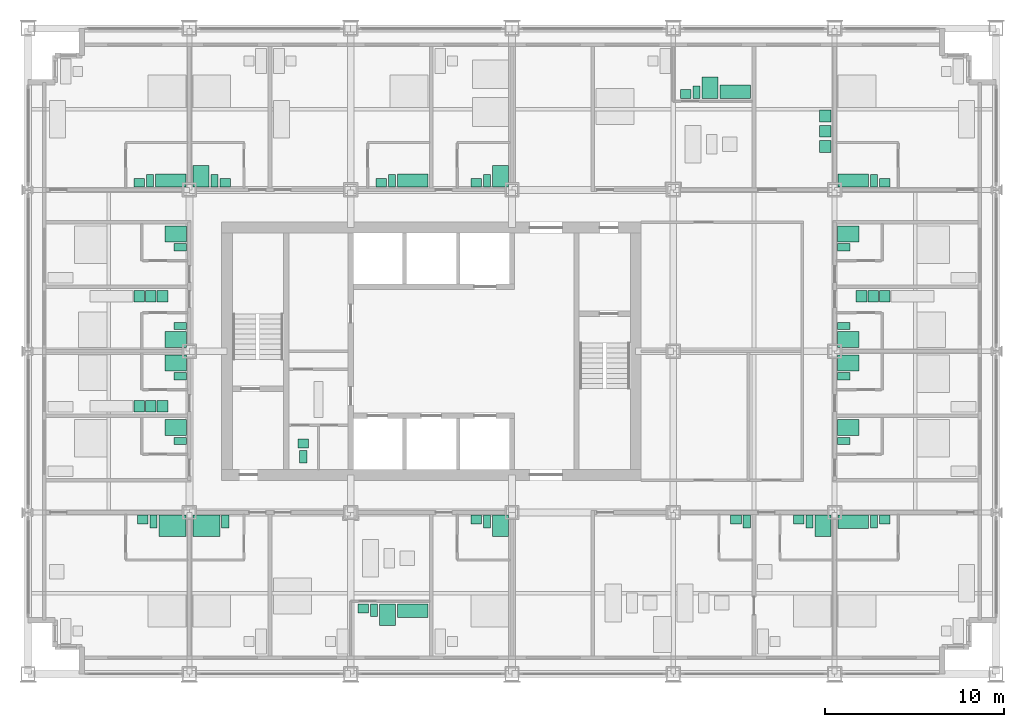
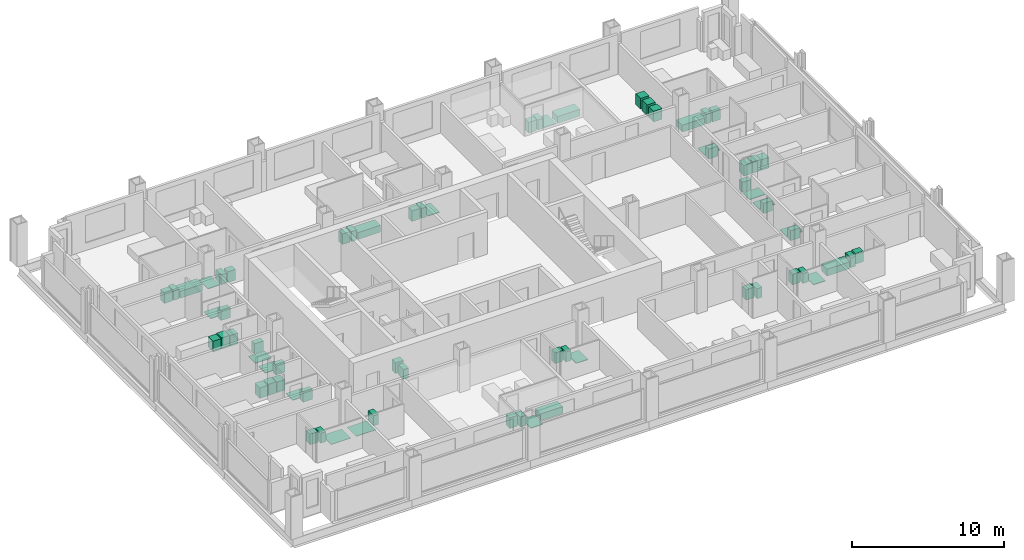
# One storey, part 17 of 18: 57 sanitary terminals, 12 electric appliances.
"""IFC4 building model written with IfcOpenShell, lengths in metres."""

import ifcopenshell
import ifcopenshell.guid

model = None  # the IFC model being written
_history = None  # IfcOwnerHistory: only IFC2X3 demands one
_inside = {}  # id of a spatial element -> (the spatial element, [elements in it])
_under = {}  # id of a project, library or spatial element -> (it, [spatial elements below it])
_declared = {}  # id of a project -> (the project, [libraries it declares])
_typed = {}  # id of a type object -> (the type object, [elements of that type])
_made_of = {}  # id of a material, layer set ... -> (it, [elements and type objects made of it])


def new_model(schema):
    """Start an empty IFC model of exactly this schema.

    Asked for "IFC4X3", IfcOpenShell would pick the latest addendum, in which some entities
    have other attributes; the version numbers below select the first issue.
    IFC2X3 requires an IfcOwnerHistory on every rooted entity: one is made here for all.
    """
    global model, _history
    if schema == "IFC4X3":
        model = ifcopenshell.file(schema_version=(4, 3, 0, 0))
    else:
        model = ifcopenshell.file(schema=schema)
    _inside.clear()
    _under.clear()
    _declared.clear()
    _typed.clear()
    _made_of.clear()
    _history = None
    if model.schema == "IFC2X3":
        org = make("IfcOrganization", Name="unknown")
        user = make(
            "IfcPersonAndOrganization",
            ThePerson=make("IfcPerson", FamilyName="unknown"),
            TheOrganization=org,
        )
        app = make(
            "IfcApplication",
            ApplicationDeveloper=org,
            Version="unknown",
            ApplicationFullName="unknown",
            ApplicationIdentifier="unknown",
        )
        _history = make(
            "IfcOwnerHistory",
            OwningUser=user,
            OwningApplication=app,
            ChangeAction="ADDED",
            CreationDate=0,
        )
    return model


def make(cls, **values):
    """One entity of the class cls with the attributes given. An attribute that is None is left unset."""
    return model.create_entity(
        cls, **{name: value for name, value in values.items() if value is not None}
    )


def rooted(cls, **values):
    """An entity with a GlobalId (a new one), such as an element, a storey or a relation."""
    return make(cls, GlobalId=ifcopenshell.guid.new(), OwnerHistory=_history, **values)


def si_unit(unit_type, name, prefix=None):
    """IfcSIUnit, for example si_unit("LENGTHUNIT", "METRE", prefix="MILLI")."""
    return make("IfcSIUnit", UnitType=unit_type, Prefix=prefix, Name=name)


def assignment(units):
    """IfcUnitAssignment: the units of a project."""
    return None if units is None else make("IfcUnitAssignment", Units=units)


def point(xyz):
    """IfcCartesianPoint."""
    return None if xyz is None else make("IfcCartesianPoint", Coordinates=xyz)


def direction(xyz):
    """IfcDirection."""
    return None if xyz is None else make("IfcDirection", DirectionRatios=xyz)


def frame(location, z_axis=None, x_axis=None):
    """IfcAxis2Placement3D, a coordinate frame: its origin and axes. An axis left out is left unset."""
    return make(
        "IfcAxis2Placement3D",
        Location=point(location),
        Axis=direction(z_axis),
        RefDirection=direction(x_axis),
    )


def frame_2d(location, x_axis=None):
    """IfcAxis2Placement2D, a coordinate frame in the plane: its origin and x axis."""
    return make(
        "IfcAxis2Placement2D", Location=point(location), RefDirection=direction(x_axis)
    )


def origin():
    """The frame at (0, 0, 0) with its axes left unset."""
    return frame((0.0, 0.0, 0.0))


def origin_2d():
    """The frame at (0, 0) in the plane with its x axis left unset."""
    return frame_2d((0.0, 0.0))


def place(relative_to, where):
    """IfcLocalPlacement: puts the frame where relative to a parent placement (None: the world)."""
    return make(
        "IfcLocalPlacement", PlacementRelTo=relative_to, RelativePlacement=where
    )


def context(
    kind, dimensions, precision=None, world=None, true_north=None, identifier=None
):
    """IfcGeometricRepresentationContext, for example the 3D "Model" context."""
    return make(
        "IfcGeometricRepresentationContext",
        ContextIdentifier=identifier,
        ContextType=kind,
        CoordinateSpaceDimension=dimensions,
        Precision=precision,
        WorldCoordinateSystem=world,
        TrueNorth=true_north,
    )


def subcontext(parent, identifier, kind, view, scale=None):
    """IfcGeometricRepresentationSubContext, for example "Body" below "Model"."""
    return make(
        "IfcGeometricRepresentationSubContext",
        ContextIdentifier=identifier,
        ContextType=kind,
        ParentContext=parent,
        TargetScale=scale,
        TargetView=view,
    )


def project(units=None, contexts=None):
    """IfcProject with its units and contexts."""
    return rooted(
        "IfcProject",
        Name="project",
        RepresentationContexts=contexts,
        UnitsInContext=assignment(units),
    )


def spatial(cls, under=None, at=None, **own):
    """A site, building, storey or space (cls), placed at a placement, below another one or the project."""
    s = rooted(cls, ObjectPlacement=at, **own)
    if under is not None:
        _under.setdefault(under.id(), (under, []))[1].append(s)
    return s


def profile(cls, at=None, kind="AREA", **sizes):
    """A parametric profile (cls). Its sizes go by their IFC names, for example OverallWidth=200.0."""
    return make(cls, ProfileType=kind, Position=at, **sizes)


def rectangle(**sizes):
    """IfcRectangleProfileDef."""
    return profile("IfcRectangleProfileDef", **sizes)


def extrude(swept, where, along, depth):
    """IfcExtrudedAreaSolid: the profile swept, set in the frame where, extruded along a direction by depth."""
    return make(
        "IfcExtrudedAreaSolid",
        SweptArea=swept,
        Position=where,
        ExtrudedDirection=direction(along),
        Depth=depth,
    )


def shape(context_of_items, identifier, shape_type, items):
    """IfcShapeRepresentation: the items that make up one representation, for example the "Body"."""
    return make(
        "IfcShapeRepresentation",
        ContextOfItems=context_of_items,
        RepresentationIdentifier=identifier,
        RepresentationType=shape_type,
        Items=items,
    )


def made_of(thing, what):
    """Note that an element or type object is made of a material, layer set ...; save() writes the relation."""
    if what is not None:
        _made_of.setdefault(what.id(), (what, []))[1].append(thing)
    return thing


def element(
    cls,
    number,
    at=None,
    inside=None,
    cuts=None,
    type_object=None,
    material=None,
    context=None,
    identifier="Body",
    shape_type=None,
    held_by="IfcProductDefinitionShape",
    body=None,
    shapes=None,
    **own,
):
    """One element of the class cls, such as IfcWall. Its Tag is "e" and its number.

    at: its placement. inside: the storey or other place that contains it. cuts: it is an
    opening in that element (IfcRelVoidsElement). A single representation is given by context,
    identifier, shape_type and body (its items); several are given by shapes. held_by: the class
    of the entity that holds the representations. save() writes the other relations.
    """
    e = rooted(cls, Tag="e%d" % number, ObjectPlacement=at, **own)
    if body is not None:
        shapes = [shape(context, identifier, shape_type, body)]
    if shapes is not None:
        e.Representation = make(held_by, Representations=shapes)
    if inside is not None:
        _inside.setdefault(inside.id(), (inside, []))[1].append(e)
    if cuts is not None:
        rooted(
            "IfcRelVoidsElement", RelatingBuildingElement=cuts, RelatedOpeningElement=e
        )
    if type_object is not None:
        _typed.setdefault(type_object.id(), (type_object, []))[1].append(e)
    return made_of(e, material)


def aggregate(whole, parts):
    """IfcRelAggregates: a whole, such as a stair, and the parts it consists of."""
    return rooted("IfcRelAggregates", RelatingObject=whole, RelatedObjects=parts)


def save(model, path):
    """Write the relations noted so far, then the file.

    IfcRelAggregates (storeys below a building ...), IfcRelContainedInSpatialStructure (elements
    in a storey), IfcRelDefinesByType, IfcRelAssociatesMaterial and IfcRelDeclares: one each for
    every whole, place, type object, material and project.
    """
    for whole, parts in _under.values():
        aggregate(whole, parts)
    for where, things in _inside.values():
        rooted(
            "IfcRelContainedInSpatialStructure",
            RelatedElements=things,
            RelatingStructure=where,
        )
    for kind, things in _typed.values():
        rooted("IfcRelDefinesByType", RelatedObjects=things, RelatingType=kind)
    for what, things in _made_of.values():
        rooted("IfcRelAssociatesMaterial", RelatedObjects=things, RelatingMaterial=what)
    for by, libraries in _declared.values():
        rooted("IfcRelDeclares", RelatingContext=by, RelatedDefinitions=libraries)
    model.write(path)


model = new_model("IFC4")

# Units and contexts
model_context = context("Model", 3, precision=1e-05, world=origin(), true_north=direction((0.0, 1.0)))
body_context = subcontext(model_context, "Body", "Model", "MODEL_VIEW")
ifc_project = project(units=[si_unit("LENGTHUNIT", "METRE"), si_unit("AREAUNIT", "SQUARE_METRE"), si_unit("VOLUMEUNIT", "CUBIC_METRE"), si_unit("PLANEANGLEUNIT", "RADIAN"), si_unit("MASSUNIT", "GRAM", prefix="KILO")], contexts=[model_context])

# Site, building, storey
site_placement = place(None, origin())
site = spatial("IfcSite", under=ifc_project, at=site_placement, CompositionType="ELEMENT")
building_placement = place(site_placement, origin())
building = spatial("IfcBuilding", under=site, at=building_placement, Name="Loomwork Tower", CompositionType="ELEMENT")
storey_placement = place(building_placement, frame((0.0, 0.0, 58.60009765625)))
storey = spatial("IfcBuildingStorey", under=building, at=storey_placement, Name="L14", CompositionType="ELEMENT", Elevation=58.60009765625)

# Sanitary terminals
sanitary_terminal_1_placement = place(storey_placement, frame((8.050048828125, 8.25, 0.0), z_axis=(0.0, 0.0, 1.0), x_axis=(1.0, 0.0, 0.0)))
element("IfcSanitaryTerminal", 1, at=sanitary_terminal_1_placement, inside=storey, Name="Roll-in shower floor L14", PredefinedType="SHOWER", context=body_context, shape_type="SweptSolid", body=[
    extrude(rectangle(XDim=1.5, YDim=1.199951171875, at=origin_2d()), origin(), (0.0, 0.0, 1.0), 0.030029296875),
])
sanitary_terminal_2_placement = place(storey_placement, frame((7.0, 8.5, 0.0), z_axis=(0.0, 0.0, 1.0), x_axis=(1.0, 0.0, 0.0)))
element("IfcSanitaryTerminal", 2, at=sanitary_terminal_2_placement, inside=storey, Name="WC L14", PredefinedType="TOILETPAN", context=body_context, shape_type="SweptSolid", body=[
    extrude(rectangle(XDim=0.39990234375, YDim=0.699951171875, at=origin_2d()), origin(), (0.0, 0.0, 1.0), 0.800048828125),
])
sanitary_terminal_3_placement = place(storey_placement, frame((6.39990234375, 8.60009765625, -0.000244140625), z_axis=(0.0, 0.0, 1.0), x_axis=(1.0, 0.0, 0.0)))
element("IfcSanitaryTerminal", 3, at=sanitary_terminal_3_placement, inside=storey, Name="Basin vanity L14", PredefinedType="WASHHANDBASIN", context=body_context, shape_type="SweptSolid", body=[
    extrude(rectangle(XDim=0.60009765625, YDim=0.5, at=origin_2d()), origin(), (0.0, 0.0, 1.0), 0.85009765625),
])
sanitary_terminal_4_placement = place(storey_placement, frame((9.949951171875, 8.25, 0.0), z_axis=(0.0, 0.0, 1.0), x_axis=(1.0, 0.0, 0.0)))
element("IfcSanitaryTerminal", 4, at=sanitary_terminal_4_placement, inside=storey, Name="Roll-in shower floor L14", PredefinedType="SHOWER", context=body_context, shape_type="SweptSolid", body=[
    extrude(rectangle(XDim=1.5, YDim=1.199951171875, at=origin_2d()), origin(), (0.0, 0.0, 1.0), 0.030029296875),
])
sanitary_terminal_5_placement = place(storey_placement, frame((11.0, 8.5, 0.0), z_axis=(0.0, 0.0, 1.0), x_axis=(1.0, 0.0, 0.0)))
element("IfcSanitaryTerminal", 5, at=sanitary_terminal_5_placement, inside=storey, Name="WC L14", PredefinedType="TOILETPAN", context=body_context, shape_type="SweptSolid", body=[
    extrude(rectangle(XDim=0.39990234375, YDim=0.699951171875, at=origin_2d()), origin(), (0.0, 0.0, 1.0), 0.800048828125),
])
sanitary_terminal_6_placement = place(storey_placement, frame((21.449951171875, 3.52490234375, 0.0), z_axis=(0.0, 0.0, 1.0), x_axis=(1.0, 0.0, 0.0)))
element("IfcSanitaryTerminal", 6, at=sanitary_terminal_6_placement, inside=storey, Name="Bath L14", PredefinedType="BATH", context=body_context, shape_type="SweptSolid", body=[
    extrude(rectangle(XDim=1.699951171875, YDim=0.75, at=origin_2d()), origin(), (0.0, 0.0, 1.0), 0.550048828125),
])
sanitary_terminal_7_placement = place(storey_placement, frame((20.050048828125, 3.300048828125, 0.0), z_axis=(0.0, 0.0, 1.0), x_axis=(1.0, 0.0, 0.0)))
element("IfcSanitaryTerminal", 7, at=sanitary_terminal_7_placement, inside=storey, Name="Shower tray L14", PredefinedType="SHOWER", context=body_context, shape_type="SweptSolid", body=[
    extrude(rectangle(XDim=0.89990234375, YDim=1.199951171875, at=origin_2d()), origin(), (0.0, 0.0, 1.0), 0.050048828125),
])
sanitary_terminal_8_placement = place(storey_placement, frame((19.300048828125, 3.550048828125, 0.0), z_axis=(0.0, 0.0, 1.0), x_axis=(1.0, 0.0, 0.0)))
element("IfcSanitaryTerminal", 8, at=sanitary_terminal_8_placement, inside=storey, Name="WC L14", PredefinedType="TOILETPAN", context=body_context, shape_type="SweptSolid", body=[
    extrude(rectangle(XDim=0.39990234375, YDim=0.699951171875, at=origin_2d()), origin(), (0.0, 0.0, 1.0), 0.800048828125),
])
sanitary_terminal_9_placement = place(storey_placement, frame((18.699951171875, 3.64990234375, -0.000244140625), z_axis=(0.0, 0.0, 1.0), x_axis=(1.0, 0.0, 0.0)))
element("IfcSanitaryTerminal", 9, at=sanitary_terminal_9_placement, inside=storey, Name="Basin vanity L14", PredefinedType="WASHHANDBASIN", context=body_context, shape_type="SweptSolid", body=[
    extrude(rectangle(XDim=0.60009765625, YDim=0.5, at=origin_2d()), origin(), (0.0, 0.0, 1.0), 0.85009765625),
])
sanitary_terminal_10_placement = place(storey_placement, frame((26.35009765625, 8.25, 0.0), z_axis=(0.0, 0.0, 1.0), x_axis=(1.0, 0.0, 0.0)))
element("IfcSanitaryTerminal", 10, at=sanitary_terminal_10_placement, inside=storey, Name="Shower tray L14", PredefinedType="SHOWER", context=body_context, shape_type="SweptSolid", body=[
    extrude(rectangle(XDim=0.89990234375, YDim=1.199951171875, at=origin_2d()), origin(), (0.0, 0.0, 1.0), 0.050048828125),
])
sanitary_terminal_11_placement = place(storey_placement, frame((25.60009765625, 8.5, 0.0), z_axis=(0.0, 0.0, 1.0), x_axis=(1.0, 0.0, 0.0)))
element("IfcSanitaryTerminal", 11, at=sanitary_terminal_11_placement, inside=storey, Name="WC L14", PredefinedType="TOILETPAN", context=body_context, shape_type="SweptSolid", body=[
    extrude(rectangle(XDim=0.39990234375, YDim=0.699951171875, at=origin_2d()), origin(), (0.0, 0.0, 1.0), 0.800048828125),
])
sanitary_terminal_12_placement = place(storey_placement, frame((25.0, 8.60009765625, -0.000244140625), z_axis=(0.0, 0.0, 1.0), x_axis=(1.0, 0.0, 0.0)))
element("IfcSanitaryTerminal", 12, at=sanitary_terminal_12_placement, inside=storey, Name="Basin vanity L14", PredefinedType="WASHHANDBASIN", context=body_context, shape_type="SweptSolid", body=[
    extrude(rectangle(XDim=0.60009765625, YDim=0.5, at=origin_2d()), origin(), (0.0, 0.0, 1.0), 0.85009765625),
])
sanitary_terminal_13_placement = place(storey_placement, frame((40.10009765625, 8.5, 0.0), z_axis=(0.0, 0.0, 1.0), x_axis=(1.0, 0.0, 0.0)))
element("IfcSanitaryTerminal", 13, at=sanitary_terminal_13_placement, inside=storey, Name="WC L14", PredefinedType="TOILETPAN", context=body_context, shape_type="SweptSolid", body=[
    extrude(rectangle(XDim=0.39990234375, YDim=0.699951171875, at=origin_2d()), origin(), (0.0, 0.0, 1.0), 0.800048828125),
])
sanitary_terminal_14_placement = place(storey_placement, frame((39.5, 8.60009765625, -0.000244140625), z_axis=(0.0, 0.0, 1.0), x_axis=(1.0, 0.0, 0.0)))
element("IfcSanitaryTerminal", 14, at=sanitary_terminal_14_placement, inside=storey, Name="Basin vanity L14", PredefinedType="WASHHANDBASIN", context=body_context, shape_type="SweptSolid", body=[
    extrude(rectangle(XDim=0.60009765625, YDim=0.5, at=origin_2d()), origin(), (0.0, 0.0, 1.0), 0.85009765625),
])
sanitary_terminal_15_placement = place(storey_placement, frame((44.35009765625, 8.25, 0.0), z_axis=(0.0, 0.0, 1.0), x_axis=(1.0, 0.0, 0.0)))
element("IfcSanitaryTerminal", 15, at=sanitary_terminal_15_placement, inside=storey, Name="Shower tray L14", PredefinedType="SHOWER", context=body_context, shape_type="SweptSolid", body=[
    extrude(rectangle(XDim=0.89990234375, YDim=1.199951171875, at=origin_2d()), origin(), (0.0, 0.0, 1.0), 0.050048828125),
])
sanitary_terminal_16_placement = place(storey_placement, frame((43.60009765625, 8.5, 0.0), z_axis=(0.0, 0.0, 1.0), x_axis=(1.0, 0.0, 0.0)))
element("IfcSanitaryTerminal", 16, at=sanitary_terminal_16_placement, inside=storey, Name="WC L14", PredefinedType="TOILETPAN", context=body_context, shape_type="SweptSolid", body=[
    extrude(rectangle(XDim=0.39990234375, YDim=0.699951171875, at=origin_2d()), origin(), (0.0, 0.0, 1.0), 0.800048828125),
])
sanitary_terminal_17_placement = place(storey_placement, frame((43.0, 8.60009765625, -0.000244140625), z_axis=(0.0, 0.0, 1.0), x_axis=(1.0, 0.0, 0.0)))
element("IfcSanitaryTerminal", 17, at=sanitary_terminal_17_placement, inside=storey, Name="Basin vanity L14", PredefinedType="WASHHANDBASIN", context=body_context, shape_type="SweptSolid", body=[
    extrude(rectangle(XDim=0.60009765625, YDim=0.5, at=origin_2d()), origin(), (0.0, 0.0, 1.0), 0.85009765625),
])
sanitary_terminal_18_placement = place(storey_placement, frame((46.050048828125, 8.47509765625, 0.0), z_axis=(0.0, 0.0, 1.0), x_axis=(1.0, 0.0, 0.0)))
element("IfcSanitaryTerminal", 18, at=sanitary_terminal_18_placement, inside=storey, Name="Bath L14", PredefinedType="BATH", context=body_context, shape_type="SweptSolid", body=[
    extrude(rectangle(XDim=1.699951171875, YDim=0.75, at=origin_2d()), origin(), (0.0, 0.0, 1.0), 0.550048828125),
])
sanitary_terminal_19_placement = place(storey_placement, frame((47.199951171875, 8.5, 0.0), z_axis=(0.0, 0.0, 1.0), x_axis=(1.0, 0.0, 0.0)))
element("IfcSanitaryTerminal", 19, at=sanitary_terminal_19_placement, inside=storey, Name="WC L14", PredefinedType="TOILETPAN", context=body_context, shape_type="SweptSolid", body=[
    extrude(rectangle(XDim=0.39990234375, YDim=0.699951171875, at=origin_2d()), origin(), (0.0, 0.0, 1.0), 0.800048828125),
])
sanitary_terminal_20_placement = place(storey_placement, frame((47.800048828125, 8.60009765625, -0.000244140625), z_axis=(0.0, 0.0, 1.0), x_axis=(1.0, 0.0, 0.0)))
element("IfcSanitaryTerminal", 20, at=sanitary_terminal_20_placement, inside=storey, Name="Basin vanity L14", PredefinedType="WASHHANDBASIN", context=body_context, shape_type="SweptSolid", body=[
    extrude(rectangle(XDim=0.60009765625, YDim=0.5, at=origin_2d()), origin(), (0.0, 0.0, 1.0), 0.85009765625),
])
sanitary_terminal_21_placement = place(storey_placement, frame((7.949951171875, 27.52490234375, 0.0), z_axis=(0.0, 0.0, 1.0), x_axis=(1.0, 0.0, 0.0)))
element("IfcSanitaryTerminal", 21, at=sanitary_terminal_21_placement, inside=storey, Name="Bath L14", PredefinedType="BATH", context=body_context, shape_type="SweptSolid", body=[
    extrude(rectangle(XDim=1.699951171875, YDim=0.75, at=origin_2d()), origin(), (0.0, 0.0, 1.0), 0.550048828125),
])
sanitary_terminal_22_placement = place(storey_placement, frame((6.800048828125, 27.5, 0.0), z_axis=(0.0, 0.0, 1.0), x_axis=(1.0, 0.0, 0.0)))
element("IfcSanitaryTerminal", 22, at=sanitary_terminal_22_placement, inside=storey, Name="WC L14", PredefinedType="TOILETPAN", context=body_context, shape_type="SweptSolid", body=[
    extrude(rectangle(XDim=0.39990234375, YDim=0.699951171875, at=origin_2d()), origin(), (0.0, 0.0, 1.0), 0.800048828125),
])
sanitary_terminal_23_placement = place(storey_placement, frame((6.199951171875, 27.39990234375, -0.000244140625), z_axis=(0.0, 0.0, 1.0), x_axis=(1.0, 0.0, 0.0)))
element("IfcSanitaryTerminal", 23, at=sanitary_terminal_23_placement, inside=storey, Name="Basin vanity L14", PredefinedType="WASHHANDBASIN", context=body_context, shape_type="SweptSolid", body=[
    extrude(rectangle(XDim=0.60009765625, YDim=0.5, at=origin_2d()), origin(), (0.0, 0.0, 1.0), 0.85009765625),
])
sanitary_terminal_24_placement = place(storey_placement, frame((9.64990234375, 27.75, 0.0), z_axis=(0.0, 0.0, 1.0), x_axis=(1.0, 0.0, 0.0)))
element("IfcSanitaryTerminal", 24, at=sanitary_terminal_24_placement, inside=storey, Name="Shower tray L14", PredefinedType="SHOWER", context=body_context, shape_type="SweptSolid", body=[
    extrude(rectangle(XDim=0.89990234375, YDim=1.199951171875, at=origin_2d()), origin(), (0.0, 0.0, 1.0), 0.050048828125),
])
sanitary_terminal_25_placement = place(storey_placement, frame((10.39990234375, 27.5, 0.0), z_axis=(0.0, 0.0, 1.0), x_axis=(1.0, 0.0, 0.0)))
element("IfcSanitaryTerminal", 25, at=sanitary_terminal_25_placement, inside=storey, Name="WC L14", PredefinedType="TOILETPAN", context=body_context, shape_type="SweptSolid", body=[
    extrude(rectangle(XDim=0.39990234375, YDim=0.699951171875, at=origin_2d()), origin(), (0.0, 0.0, 1.0), 0.800048828125),
])
sanitary_terminal_26_placement = place(storey_placement, frame((11.0, 27.39990234375, -0.000244140625), z_axis=(0.0, 0.0, 1.0), x_axis=(1.0, 0.0, 0.0)))
element("IfcSanitaryTerminal", 26, at=sanitary_terminal_26_placement, inside=storey, Name="Basin vanity L14", PredefinedType="WASHHANDBASIN", context=body_context, shape_type="SweptSolid", body=[
    extrude(rectangle(XDim=0.60009765625, YDim=0.5, at=origin_2d()), origin(), (0.0, 0.0, 1.0), 0.85009765625),
])
sanitary_terminal_27_placement = place(storey_placement, frame((21.449951171875, 27.52490234375, 0.0), z_axis=(0.0, 0.0, 1.0), x_axis=(1.0, 0.0, 0.0)))
element("IfcSanitaryTerminal", 27, at=sanitary_terminal_27_placement, inside=storey, Name="Bath L14", PredefinedType="BATH", context=body_context, shape_type="SweptSolid", body=[
    extrude(rectangle(XDim=1.699951171875, YDim=0.75, at=origin_2d()), origin(), (0.0, 0.0, 1.0), 0.550048828125),
])
sanitary_terminal_28_placement = place(storey_placement, frame((20.300048828125, 27.5, 0.0), z_axis=(0.0, 0.0, 1.0), x_axis=(1.0, 0.0, 0.0)))
element("IfcSanitaryTerminal", 28, at=sanitary_terminal_28_placement, inside=storey, Name="WC L14", PredefinedType="TOILETPAN", context=body_context, shape_type="SweptSolid", body=[
    extrude(rectangle(XDim=0.39990234375, YDim=0.699951171875, at=origin_2d()), origin(), (0.0, 0.0, 1.0), 0.800048828125),
])
sanitary_terminal_29_placement = place(storey_placement, frame((19.699951171875, 27.39990234375, -0.000244140625), z_axis=(0.0, 0.0, 1.0), x_axis=(1.0, 0.0, 0.0)))
element("IfcSanitaryTerminal", 29, at=sanitary_terminal_29_placement, inside=storey, Name="Basin vanity L14", PredefinedType="WASHHANDBASIN", context=body_context, shape_type="SweptSolid", body=[
    extrude(rectangle(XDim=0.60009765625, YDim=0.5, at=origin_2d()), origin(), (0.0, 0.0, 1.0), 0.85009765625),
])
sanitary_terminal_30_placement = place(storey_placement, frame((26.35009765625, 27.75, 0.0), z_axis=(0.0, 0.0, 1.0), x_axis=(1.0, 0.0, 0.0)))
element("IfcSanitaryTerminal", 30, at=sanitary_terminal_30_placement, inside=storey, Name="Shower tray L14", PredefinedType="SHOWER", context=body_context, shape_type="SweptSolid", body=[
    extrude(rectangle(XDim=0.89990234375, YDim=1.199951171875, at=origin_2d()), origin(), (0.0, 0.0, 1.0), 0.050048828125),
])
sanitary_terminal_31_placement = place(storey_placement, frame((25.60009765625, 27.5, 0.0), z_axis=(0.0, 0.0, 1.0), x_axis=(1.0, 0.0, 0.0)))
element("IfcSanitaryTerminal", 31, at=sanitary_terminal_31_placement, inside=storey, Name="WC L14", PredefinedType="TOILETPAN", context=body_context, shape_type="SweptSolid", body=[
    extrude(rectangle(XDim=0.39990234375, YDim=0.699951171875, at=origin_2d()), origin(), (0.0, 0.0, 1.0), 0.800048828125),
])
sanitary_terminal_32_placement = place(storey_placement, frame((25.0, 27.39990234375, -0.000244140625), z_axis=(0.0, 0.0, 1.0), x_axis=(1.0, 0.0, 0.0)))
element("IfcSanitaryTerminal", 32, at=sanitary_terminal_32_placement, inside=storey, Name="Basin vanity L14", PredefinedType="WASHHANDBASIN", context=body_context, shape_type="SweptSolid", body=[
    extrude(rectangle(XDim=0.60009765625, YDim=0.5, at=origin_2d()), origin(), (0.0, 0.0, 1.0), 0.85009765625),
])
sanitary_terminal_33_placement = place(storey_placement, frame((39.449951171875, 32.47509765625, 0.0), z_axis=(0.0, 0.0, 1.0), x_axis=(1.0, 0.0, 0.0)))
element("IfcSanitaryTerminal", 33, at=sanitary_terminal_33_placement, inside=storey, Name="Bath L14", PredefinedType="BATH", context=body_context, shape_type="SweptSolid", body=[
    extrude(rectangle(XDim=1.699951171875, YDim=0.75, at=origin_2d()), origin(), (0.0, 0.0, 1.0), 0.550048828125),
])
sanitary_terminal_34_placement = place(storey_placement, frame((38.050048828125, 32.699951171875, 0.0), z_axis=(0.0, 0.0, 1.0), x_axis=(1.0, 0.0, 0.0)))
element("IfcSanitaryTerminal", 34, at=sanitary_terminal_34_placement, inside=storey, Name="Shower tray L14", PredefinedType="SHOWER", context=body_context, shape_type="SweptSolid", body=[
    extrude(rectangle(XDim=0.89990234375, YDim=1.199951171875, at=origin_2d()), origin(), (0.0, 0.0, 1.0), 0.050048828125),
])
sanitary_terminal_35_placement = place(storey_placement, frame((37.300048828125, 32.449951171875, 0.0), z_axis=(0.0, 0.0, 1.0), x_axis=(1.0, 0.0, 0.0)))
element("IfcSanitaryTerminal", 35, at=sanitary_terminal_35_placement, inside=storey, Name="WC L14", PredefinedType="TOILETPAN", context=body_context, shape_type="SweptSolid", body=[
    extrude(rectangle(XDim=0.39990234375, YDim=0.699951171875, at=origin_2d()), origin(), (0.0, 0.0, 1.0), 0.800048828125),
])
sanitary_terminal_36_placement = place(storey_placement, frame((36.699951171875, 32.35009765625, -0.000244140625), z_axis=(0.0, 0.0, 1.0), x_axis=(1.0, 0.0, 0.0)))
element("IfcSanitaryTerminal", 36, at=sanitary_terminal_36_placement, inside=storey, Name="Basin vanity L14", PredefinedType="WASHHANDBASIN", context=body_context, shape_type="SweptSolid", body=[
    extrude(rectangle(XDim=0.60009765625, YDim=0.5, at=origin_2d()), origin(), (0.0, 0.0, 1.0), 0.85009765625),
])

# Electric appliances
electric_appliance_1_placement = place(storey_placement, frame((44.47509765625, 29.425048828125, -0.000244140625), z_axis=(0.0, 0.0, 1.0), x_axis=(1.0, 0.0, 0.0)))
element("IfcElectricAppliance", 37, at=electric_appliance_1_placement, inside=storey, Name="Washing machine L14", PredefinedType="WASHINGMACHINE", context=body_context, shape_type="SweptSolid", body=[
    extrude(rectangle(XDim=0.64990234375, YDim=0.64990234375, at=origin_2d()), origin(), (0.0, 0.0, 1.0), 0.85009765625),
])
electric_appliance_2_placement = place(storey_placement, frame((44.47509765625, 30.27490234375, -0.000244140625), z_axis=(0.0, 0.0, 1.0), x_axis=(1.0, 0.0, 0.0)))
element("IfcElectricAppliance", 38, at=electric_appliance_2_placement, inside=storey, Name="Tumble dryer L14", PredefinedType="TUMBLEDRYER", context=body_context, shape_type="SweptSolid", body=[
    extrude(rectangle(XDim=0.64990234375, YDim=0.64990234375, at=origin_2d()), origin(), (0.0, 0.0, 1.0), 0.85009765625),
])
electric_appliance_3_placement = place(storey_placement, frame((44.47509765625, 31.125, -0.000244140625), z_axis=(0.0, 0.0, 1.0), x_axis=(1.0, 0.0, 0.0)))
element("IfcElectricAppliance", 39, at=electric_appliance_3_placement, inside=storey, Name="Washing machine L14", PredefinedType="WASHINGMACHINE", context=body_context, shape_type="SweptSolid", body=[
    extrude(rectangle(XDim=0.64990234375, YDim=0.64990234375, at=origin_2d()), origin(), (0.0, 0.0, 1.0), 0.85009765625),
])

# Sanitary terminals
sanitary_terminal_37_placement = place(storey_placement, frame((46.050048828125, 27.52490234375, 0.0), z_axis=(0.0, 0.0, 1.0), x_axis=(1.0, 0.0, 0.0)))
element("IfcSanitaryTerminal", 40, at=sanitary_terminal_37_placement, inside=storey, Name="Bath L14", PredefinedType="BATH", context=body_context, shape_type="SweptSolid", body=[
    extrude(rectangle(XDim=1.699951171875, YDim=0.75, at=origin_2d()), origin(), (0.0, 0.0, 1.0), 0.550048828125),
])
sanitary_terminal_38_placement = place(storey_placement, frame((47.199951171875, 27.5, 0.0), z_axis=(0.0, 0.0, 1.0), x_axis=(1.0, 0.0, 0.0)))
element("IfcSanitaryTerminal", 41, at=sanitary_terminal_38_placement, inside=storey, Name="WC L14", PredefinedType="TOILETPAN", context=body_context, shape_type="SweptSolid", body=[
    extrude(rectangle(XDim=0.39990234375, YDim=0.699951171875, at=origin_2d()), origin(), (0.0, 0.0, 1.0), 0.800048828125),
])
sanitary_terminal_39_placement = place(storey_placement, frame((47.800048828125, 27.39990234375, -0.000244140625), z_axis=(0.0, 0.0, 1.0), x_axis=(1.0, 0.0, 0.0)))
element("IfcSanitaryTerminal", 42, at=sanitary_terminal_39_placement, inside=storey, Name="Basin vanity L14", PredefinedType="WASHHANDBASIN", context=body_context, shape_type="SweptSolid", body=[
    extrude(rectangle(XDim=0.60009765625, YDim=0.5, at=origin_2d()), origin(), (0.0, 0.0, 1.0), 0.85009765625),
])
sanitary_terminal_40_placement = place(storey_placement, frame((8.25, 13.75, 0.0), z_axis=(0.0, 0.0, 1.0), x_axis=(1.0, 0.0, 0.0)))
element("IfcSanitaryTerminal", 43, at=sanitary_terminal_40_placement, inside=storey, Name="Shower tray L14", PredefinedType="SHOWER", context=body_context, shape_type="SweptSolid", body=[
    extrude(rectangle(XDim=1.199951171875, YDim=0.89990234375, at=origin_2d()), origin(), (0.0, 0.0, 1.0), 0.050048828125),
])
sanitary_terminal_41_placement = place(storey_placement, frame((8.5, 13.0, 0.0), z_axis=(0.0, 0.0, 1.0), x_axis=(1.0, 0.0, 0.0)))
element("IfcSanitaryTerminal", 44, at=sanitary_terminal_41_placement, inside=storey, Name="WC L14", PredefinedType="TOILETPAN", context=body_context, shape_type="SweptSolid", body=[
    extrude(rectangle(XDim=0.699951171875, YDim=0.39990234375, at=origin_2d()), origin(), (0.0, 0.0, 1.0), 0.800048828125),
])
sanitary_terminal_42_placement = place(storey_placement, frame((8.25, 17.35009765625, 0.0), z_axis=(0.0, 0.0, 1.0), x_axis=(1.0, 0.0, 0.0)))
element("IfcSanitaryTerminal", 45, at=sanitary_terminal_42_placement, inside=storey, Name="Shower tray L14", PredefinedType="SHOWER", context=body_context, shape_type="SweptSolid", body=[
    extrude(rectangle(XDim=1.199951171875, YDim=0.89990234375, at=origin_2d()), origin(), (0.0, 0.0, 1.0), 0.050048828125),
])
sanitary_terminal_43_placement = place(storey_placement, frame((8.5, 16.60009765625, 0.0), z_axis=(0.0, 0.0, 1.0), x_axis=(1.0, 0.0, 0.0)))
element("IfcSanitaryTerminal", 46, at=sanitary_terminal_43_placement, inside=storey, Name="WC L14", PredefinedType="TOILETPAN", context=body_context, shape_type="SweptSolid", body=[
    extrude(rectangle(XDim=0.699951171875, YDim=0.39990234375, at=origin_2d()), origin(), (0.0, 0.0, 1.0), 0.800048828125),
])

# Electric appliances
electric_appliance_4_placement = place(storey_placement, frame((7.5, 14.925048828125, -0.000244140625), z_axis=(0.0, 0.0, 1.0), x_axis=(1.0, 0.0, 0.0)))
element("IfcElectricAppliance", 47, at=electric_appliance_4_placement, inside=storey, Name="Refrigerator L14", PredefinedType="REFRIGERATOR", context=body_context, shape_type="SweptSolid", body=[
    extrude(rectangle(XDim=0.60009765625, YDim=0.64990234375, at=origin_2d()), origin(), (0.0, 0.0, 1.0), 0.85009765625),
])
electric_appliance_5_placement = place(storey_placement, frame((6.85009765625, 14.925048828125, 0.0), z_axis=(0.0, 0.0, 1.0), x_axis=(1.0, 0.0, 0.0)))
element("IfcElectricAppliance", 48, at=electric_appliance_5_placement, inside=storey, Name="Two-ring cooktop and oven L14", PredefinedType="ELECTRICCOOKER", context=body_context, shape_type="SweptSolid", body=[
    extrude(rectangle(XDim=0.60009765625, YDim=0.64990234375, at=origin_2d()), origin(), (0.0, 0.0, 1.0), 0.89990234375),
])
electric_appliance_6_placement = place(storey_placement, frame((6.199951171875, 14.925048828125, -0.000244140625), z_axis=(0.0, 0.0, 1.0), x_axis=(1.0, 0.0, 0.0)))
element("IfcElectricAppliance", 49, at=electric_appliance_6_placement, inside=storey, Name="Dishwasher L14", PredefinedType="DISHWASHER", context=body_context, shape_type="SweptSolid", body=[
    extrude(rectangle(XDim=0.60009765625, YDim=0.64990234375, at=origin_2d()), origin(), (0.0, 0.0, 1.0), 0.85009765625),
])

# Sanitary terminals
sanitary_terminal_44_placement = place(storey_placement, frame((8.25, 18.64990234375, 0.0), z_axis=(0.0, 0.0, 1.0), x_axis=(1.0, 0.0, 0.0)))
element("IfcSanitaryTerminal", 50, at=sanitary_terminal_44_placement, inside=storey, Name="Shower tray L14", PredefinedType="SHOWER", context=body_context, shape_type="SweptSolid", body=[
    extrude(rectangle(XDim=1.199951171875, YDim=0.89990234375, at=origin_2d()), origin(), (0.0, 0.0, 1.0), 0.050048828125),
])
sanitary_terminal_45_placement = place(storey_placement, frame((8.5, 19.39990234375, 0.0), z_axis=(0.0, 0.0, 1.0), x_axis=(1.0, 0.0, 0.0)))
element("IfcSanitaryTerminal", 51, at=sanitary_terminal_45_placement, inside=storey, Name="WC L14", PredefinedType="TOILETPAN", context=body_context, shape_type="SweptSolid", body=[
    extrude(rectangle(XDim=0.699951171875, YDim=0.39990234375, at=origin_2d()), origin(), (0.0, 0.0, 1.0), 0.800048828125),
])

# Electric appliances
electric_appliance_7_placement = place(storey_placement, frame((7.5, 21.074951171875, -0.000244140625), z_axis=(0.0, 0.0, 1.0), x_axis=(1.0, 0.0, 0.0)))
element("IfcElectricAppliance", 52, at=electric_appliance_7_placement, inside=storey, Name="Refrigerator L14", PredefinedType="REFRIGERATOR", context=body_context, shape_type="SweptSolid", body=[
    extrude(rectangle(XDim=0.60009765625, YDim=0.64990234375, at=origin_2d()), origin(), (0.0, 0.0, 1.0), 0.85009765625),
])
electric_appliance_8_placement = place(storey_placement, frame((6.85009765625, 21.074951171875, 0.0), z_axis=(0.0, 0.0, 1.0), x_axis=(1.0, 0.0, 0.0)))
element("IfcElectricAppliance", 53, at=electric_appliance_8_placement, inside=storey, Name="Two-ring cooktop and oven L14", PredefinedType="ELECTRICCOOKER", context=body_context, shape_type="SweptSolid", body=[
    extrude(rectangle(XDim=0.60009765625, YDim=0.64990234375, at=origin_2d()), origin(), (0.0, 0.0, 1.0), 0.89990234375),
])
electric_appliance_9_placement = place(storey_placement, frame((6.199951171875, 21.074951171875, -0.000244140625), z_axis=(0.0, 0.0, 1.0), x_axis=(1.0, 0.0, 0.0)))
element("IfcElectricAppliance", 54, at=electric_appliance_9_placement, inside=storey, Name="Dishwasher L14", PredefinedType="DISHWASHER", context=body_context, shape_type="SweptSolid", body=[
    extrude(rectangle(XDim=0.60009765625, YDim=0.64990234375, at=origin_2d()), origin(), (0.0, 0.0, 1.0), 0.85009765625),
])

# Sanitary terminals
sanitary_terminal_46_placement = place(storey_placement, frame((8.25, 24.550048828125, 0.0), z_axis=(0.0, 0.0, 1.0), x_axis=(1.0, 0.0, 0.0)))
element("IfcSanitaryTerminal", 55, at=sanitary_terminal_46_placement, inside=storey, Name="Shower tray L14", PredefinedType="SHOWER", context=body_context, shape_type="SweptSolid", body=[
    extrude(rectangle(XDim=1.199951171875, YDim=0.89990234375, at=origin_2d()), origin(), (0.0, 0.0, 1.0), 0.050048828125),
])
sanitary_terminal_47_placement = place(storey_placement, frame((8.5, 23.800048828125, 0.0), z_axis=(0.0, 0.0, 1.0), x_axis=(1.0, 0.0, 0.0)))
element("IfcSanitaryTerminal", 56, at=sanitary_terminal_47_placement, inside=storey, Name="WC L14", PredefinedType="TOILETPAN", context=body_context, shape_type="SweptSolid", body=[
    extrude(rectangle(XDim=0.699951171875, YDim=0.39990234375, at=origin_2d()), origin(), (0.0, 0.0, 1.0), 0.800048828125),
])
sanitary_terminal_48_placement = place(storey_placement, frame((45.75, 13.75, 0.0), z_axis=(0.0, 0.0, 1.0), x_axis=(1.0, 0.0, 0.0)))
element("IfcSanitaryTerminal", 57, at=sanitary_terminal_48_placement, inside=storey, Name="Shower tray L14", PredefinedType="SHOWER", context=body_context, shape_type="SweptSolid", body=[
    extrude(rectangle(XDim=1.199951171875, YDim=0.89990234375, at=origin_2d()), origin(), (0.0, 0.0, 1.0), 0.050048828125),
])
sanitary_terminal_49_placement = place(storey_placement, frame((45.5, 13.0, 0.0), z_axis=(0.0, 0.0, 1.0), x_axis=(1.0, 0.0, 0.0)))
element("IfcSanitaryTerminal", 58, at=sanitary_terminal_49_placement, inside=storey, Name="WC L14", PredefinedType="TOILETPAN", context=body_context, shape_type="SweptSolid", body=[
    extrude(rectangle(XDim=0.699951171875, YDim=0.39990234375, at=origin_2d()), origin(), (0.0, 0.0, 1.0), 0.800048828125),
])
sanitary_terminal_50_placement = place(storey_placement, frame((45.75, 17.35009765625, 0.0), z_axis=(0.0, 0.0, 1.0), x_axis=(1.0, 0.0, 0.0)))
element("IfcSanitaryTerminal", 59, at=sanitary_terminal_50_placement, inside=storey, Name="Shower tray L14", PredefinedType="SHOWER", context=body_context, shape_type="SweptSolid", body=[
    extrude(rectangle(XDim=1.199951171875, YDim=0.89990234375, at=origin_2d()), origin(), (0.0, 0.0, 1.0), 0.050048828125),
])
sanitary_terminal_51_placement = place(storey_placement, frame((45.5, 16.60009765625, 0.0), z_axis=(0.0, 0.0, 1.0), x_axis=(1.0, 0.0, 0.0)))
element("IfcSanitaryTerminal", 60, at=sanitary_terminal_51_placement, inside=storey, Name="WC L14", PredefinedType="TOILETPAN", context=body_context, shape_type="SweptSolid", body=[
    extrude(rectangle(XDim=0.699951171875, YDim=0.39990234375, at=origin_2d()), origin(), (0.0, 0.0, 1.0), 0.800048828125),
])
sanitary_terminal_52_placement = place(storey_placement, frame((45.75, 18.64990234375, 0.0), z_axis=(0.0, 0.0, 1.0), x_axis=(1.0, 0.0, 0.0)))
element("IfcSanitaryTerminal", 61, at=sanitary_terminal_52_placement, inside=storey, Name="Shower tray L14", PredefinedType="SHOWER", context=body_context, shape_type="SweptSolid", body=[
    extrude(rectangle(XDim=1.199951171875, YDim=0.89990234375, at=origin_2d()), origin(), (0.0, 0.0, 1.0), 0.050048828125),
])
sanitary_terminal_53_placement = place(storey_placement, frame((45.5, 19.39990234375, 0.0), z_axis=(0.0, 0.0, 1.0), x_axis=(1.0, 0.0, 0.0)))
element("IfcSanitaryTerminal", 62, at=sanitary_terminal_53_placement, inside=storey, Name="WC L14", PredefinedType="TOILETPAN", context=body_context, shape_type="SweptSolid", body=[
    extrude(rectangle(XDim=0.699951171875, YDim=0.39990234375, at=origin_2d()), origin(), (0.0, 0.0, 1.0), 0.800048828125),
])

# Electric appliances
electric_appliance_10_placement = place(storey_placement, frame((46.5, 21.074951171875, -0.000244140625), z_axis=(0.0, 0.0, 1.0), x_axis=(1.0, 0.0, 0.0)))
element("IfcElectricAppliance", 63, at=electric_appliance_10_placement, inside=storey, Name="Refrigerator L14", PredefinedType="REFRIGERATOR", context=body_context, shape_type="SweptSolid", body=[
    extrude(rectangle(XDim=0.60009765625, YDim=0.64990234375, at=origin_2d()), origin(), (0.0, 0.0, 1.0), 0.85009765625),
])
electric_appliance_11_placement = place(storey_placement, frame((47.14990234375, 21.074951171875, 0.0), z_axis=(0.0, 0.0, 1.0), x_axis=(1.0, 0.0, 0.0)))
element("IfcElectricAppliance", 64, at=electric_appliance_11_placement, inside=storey, Name="Two-ring cooktop and oven L14", PredefinedType="ELECTRICCOOKER", context=body_context, shape_type="SweptSolid", body=[
    extrude(rectangle(XDim=0.60009765625, YDim=0.64990234375, at=origin_2d()), origin(), (0.0, 0.0, 1.0), 0.89990234375),
])
electric_appliance_12_placement = place(storey_placement, frame((47.800048828125, 21.074951171875, -0.000244140625), z_axis=(0.0, 0.0, 1.0), x_axis=(1.0, 0.0, 0.0)))
element("IfcElectricAppliance", 65, at=electric_appliance_12_placement, inside=storey, Name="Dishwasher L14", PredefinedType="DISHWASHER", context=body_context, shape_type="SweptSolid", body=[
    extrude(rectangle(XDim=0.60009765625, YDim=0.64990234375, at=origin_2d()), origin(), (0.0, 0.0, 1.0), 0.85009765625),
])

# Sanitary terminals
sanitary_terminal_54_placement = place(storey_placement, frame((45.75, 24.550048828125, 0.0), z_axis=(0.0, 0.0, 1.0), x_axis=(1.0, 0.0, 0.0)))
element("IfcSanitaryTerminal", 66, at=sanitary_terminal_54_placement, inside=storey, Name="Shower tray L14", PredefinedType="SHOWER", context=body_context, shape_type="SweptSolid", body=[
    extrude(rectangle(XDim=1.199951171875, YDim=0.89990234375, at=origin_2d()), origin(), (0.0, 0.0, 1.0), 0.050048828125),
])
sanitary_terminal_55_placement = place(storey_placement, frame((45.5, 23.800048828125, 0.0), z_axis=(0.0, 0.0, 1.0), x_axis=(1.0, 0.0, 0.0)))
element("IfcSanitaryTerminal", 67, at=sanitary_terminal_55_placement, inside=storey, Name="WC L14", PredefinedType="TOILETPAN", context=body_context, shape_type="SweptSolid", body=[
    extrude(rectangle(XDim=0.699951171875, YDim=0.39990234375, at=origin_2d()), origin(), (0.0, 0.0, 1.0), 0.800048828125),
])
sanitary_terminal_56_placement = place(storey_placement, frame((15.35009765625, 12.10009765625, 0.0), z_axis=(0.0, 0.0, 1.0), x_axis=(1.0, 0.0, 0.0)))
element("IfcSanitaryTerminal", 68, at=sanitary_terminal_56_placement, inside=storey, Name="WC L14", PredefinedType="TOILETPAN", context=body_context, shape_type="SweptSolid", body=[
    extrude(rectangle(XDim=0.39990234375, YDim=0.699951171875, at=origin_2d()), origin(), (0.0, 0.0, 1.0), 0.800048828125),
])
sanitary_terminal_57_placement = place(storey_placement, frame((15.35009765625, 12.85009765625, -0.000244140625), z_axis=(0.0, 0.0, 1.0), x_axis=(1.0, 0.0, 0.0)))
element("IfcSanitaryTerminal", 69, at=sanitary_terminal_57_placement, inside=storey, Name="Basin L14", PredefinedType="WASHHANDBASIN", context=body_context, shape_type="SweptSolid", body=[
    extrude(rectangle(XDim=0.60009765625, YDim=0.5, at=origin_2d()), origin(), (0.0, 0.0, 1.0), 0.85009765625),
])

save(model, "model.ifc")
